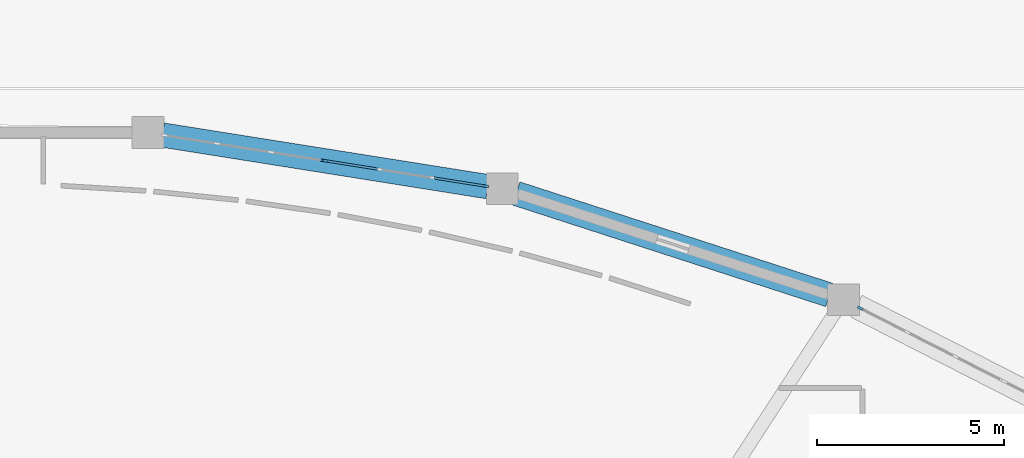
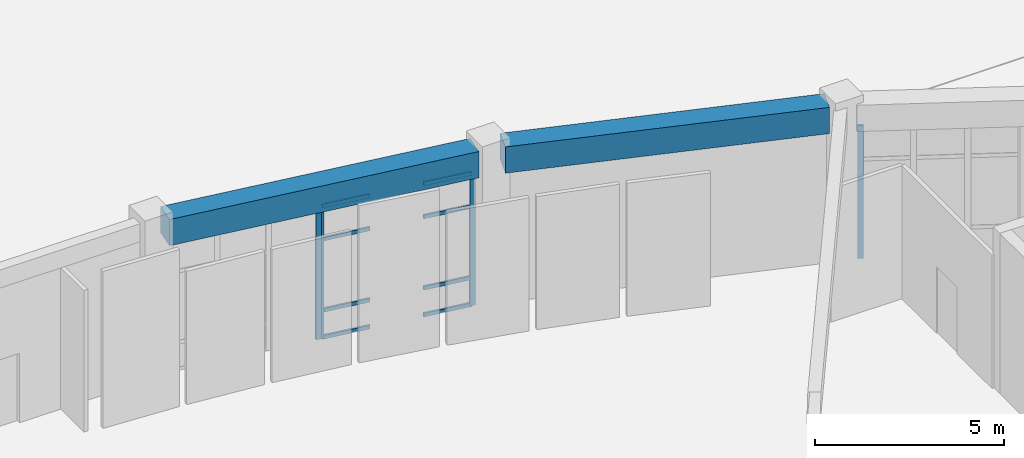
# One storey, part 21 of 70: 12 members, 2 beams, 3 elements without a shape of their own.
"""IFC4 building model written with IfcOpenShell, lengths in metres."""

from ifc_helpers import new_model, si_unit, direction, frame, origin, origin_2d, place, context, subcontext, project, spatial, rectangle, extrude, material, layer, layer_set, material_profile, profile_set, type_object, element, aggregate, save


model = new_model("IFC4")

# Units and contexts
model_context = context("Model", 3, precision=1e-05, world=origin(), true_north=direction((0.0, 1.0)))
body_context = subcontext(model_context, "Body", "Model", "MODEL_VIEW")
ifc_project = project(units=[si_unit("LENGTHUNIT", "METRE"), si_unit("AREAUNIT", "SQUARE_METRE"), si_unit("VOLUMEUNIT", "CUBIC_METRE"), si_unit("PLANEANGLEUNIT", "RADIAN"), si_unit("MASSUNIT", "GRAM", prefix="KILO")], contexts=[model_context])

# Site, building, storey
site_placement = place(None, origin())
site = spatial("IfcSite", under=ifc_project, at=site_placement, CompositionType="ELEMENT")
building_placement = place(site_placement, origin())
building = spatial("IfcBuilding", under=site, at=building_placement, Name="Miralva Faculty of Natural Sciences", CompositionType="ELEMENT")
storey_placement = place(building_placement, origin())
storey = spatial("IfcBuildingStorey", under=building, at=storey_placement, Name="L00", CompositionType="ELEMENT", Elevation=0.0)

# Beams
ifc_material_1 = material(Name="Concrete C40/50", Category="concrete")
ifc_material_profile_1 = material_profile(ifc_material_1, rectangle(XDim=0.64990234375, YDim=0.85009765625, at=origin_2d()), Name="RC 650x850")
ifc_profile_set_1 = profile_set([ifc_material_profile_1], Name="Concrete C40/50")
beam_type = type_object("IfcBeamType", Name="BM-SP03", PredefinedType="SPANDREL", material=ifc_profile_set_1)
beam_1_placement = place(storey_placement, frame((112.968017578125, 35.480712890625, 4.735107421875), z_axis=(-0.951268878856, 0.308362643846, 0.0), x_axis=(-0.308362643846, -0.951268878856, 0.0)))
element("IfcBeam", 1, at=beam_1_placement, inside=storey, type_object=beam_type, Name="Curved chord girder SHOUT L00-3", PredefinedType="SPANDREL", context=body_context, shape_type="SweptSolid", body=[
    extrude(rectangle(XDim=0.64990234375, YDim=0.85009765625, at=origin_2d()), origin(), (0.0, 0.0, 1.0), 8.7841796875),
])
beam_2_placement = place(storey_placement, frame((103.853759765625, 38.371337890625, 4.735107421875), z_axis=(-0.987634435807, 0.156774427787, 0.0), x_axis=(-0.156774427787, -0.987634435807, 0.0)))
element("IfcBeam", 2, at=beam_2_placement, inside=storey, type_object=beam_type, Name="Curved chord girder SHOUT L00-4", PredefinedType="SPANDREL", context=body_context, shape_type="SweptSolid", body=[
    extrude(rectangle(XDim=0.64990234375, YDim=0.85009765625, at=origin_2d()), origin(), (0.0, 0.0, 1.0), 8.7861328125),
])

# Curtain wall, member
ifc_material_2 = material(Name="Laminated solar-control glass", Category="glass")
ifc_layer = layer(ifc_material_2, 0.179931640625, Name="CW-ARC-L00")
ifc_layer_set = layer_set([ifc_layer], Name="Laminated solar-control glass")
curtain_wall_type = type_object("IfcCurtainWallType", Name="CW-ARC-L00", PredefinedType="USERDEFINED", material=ifc_layer_set)
curtain_wall_1_placement = place(storey_placement, origin())
curtain_wall_1 = element("IfcCurtainWall", 3, at=curtain_wall_1_placement, inside=storey, type_object=curtain_wall_type, Name="Curtain wall CW-01 L00-7", ObjectType="UNITISED CURTAIN WALL", PredefinedType="USERDEFINED")
ifc_material_3 = material(Name="Anodised aluminium", Category="aluminium")
ifc_material_profile_2 = material_profile(ifc_material_3, rectangle(XDim=0.06494140625, YDim=0.159912109375, at=origin_2d()), Name="MULLION 65x160")
ifc_profile_set_2 = profile_set([ifc_material_profile_2], Name="Anodised aluminium")
member_type_1 = type_object("IfcMemberType", Name="CW-M02", PredefinedType="MULLION", material=ifc_profile_set_2)
member_1_placement = place(storey_placement, frame((99.48095703125, 39.068359375, 0.0), z_axis=(0.0, 0.0, 1.0), x_axis=(0.156417211778, 0.987691073089, 0.0)))
member_1 = element("IfcMember", 4, at=member_1_placement, type_object=member_type_1, Name="CW-01 mullion 4", PredefinedType="MULLION", context=body_context, shape_type="SweptSolid", body=[
    extrude(rectangle(XDim=0.06494140625, YDim=0.159912109375, at=origin_2d()), origin(), (0.0, 0.0, 1.0), 4.304931640625),
])
aggregate(curtain_wall_1, [member_1])

# Curtain wall, members
curtain_wall_2_placement = place(storey_placement, origin())
curtain_wall_2 = element("IfcCurtainWall", 5, at=curtain_wall_2_placement, inside=storey, type_object=curtain_wall_type, Name="Curtain wall CW-01 L00-8", ObjectType="UNITISED CURTAIN WALL", PredefinedType="USERDEFINED")
member_2_placement = place(storey_placement, frame((99.540283203125, 39.05908203125, 0.0), z_axis=(0.0, 0.0, 1.0), x_axis=(0.156444855796, 0.987686694805, 0.0)))
member_2 = element("IfcMember", 6, at=member_2_placement, type_object=member_type_1, Name="CW-01 mullion 1", PredefinedType="MULLION", context=body_context, shape_type="SweptSolid", body=[
    extrude(rectangle(XDim=0.06494140625, YDim=0.159912109375, at=origin_2d()), origin(), (0.0, 0.0, 1.0), 4.304931640625),
])
member_3_placement = place(storey_placement, frame((103.798095703125, 38.384521484375, 0.0), z_axis=(0.0, 0.0, 1.0), x_axis=(0.156444855796, 0.987686694805, 0.0)))
member_3 = element("IfcMember", 7, at=member_3_placement, type_object=member_type_1, Name="CW-01 mullion 4", PredefinedType="MULLION", context=body_context, shape_type="SweptSolid", body=[
    extrude(rectangle(XDim=0.06494140625, YDim=0.159912109375, at=origin_2d()), origin(), (0.0, 0.0, 1.0), 4.304931640625),
])

# Curtain wall, member
curtain_wall_3_placement = place(storey_placement, origin())
curtain_wall_3 = element("IfcCurtainWall", 8, at=curtain_wall_3_placement, inside=storey, type_object=curtain_wall_type, Name="Curtain wall CW-01 L00-9", ObjectType="UNITISED CURTAIN WALL", PredefinedType="USERDEFINED")
member_4_placement = place(storey_placement, frame((113.786865234375, 35.130859375, 0.0), z_axis=(0.0, 0.0, 1.0), x_axis=(0.453967729556, 0.89101812581, 0.0)))
member_4 = element("IfcMember", 9, at=member_4_placement, type_object=member_type_1, Name="CW-01 mullion 1", PredefinedType="MULLION", context=body_context, shape_type="SweptSolid", body=[
    extrude(rectangle(XDim=0.06494140625, YDim=0.159912109375, at=origin_2d()), origin(), (0.0, 0.0, 1.0), 4.304931640625),
])
aggregate(curtain_wall_3, [member_4])

# Member
ifc_material_profile_3 = material_profile(ifc_material_3, rectangle(XDim=0.06005859375, YDim=0.1201171875, at=origin_2d()), Name="TRANSOM 60x120")
ifc_profile_set_3 = profile_set([ifc_material_profile_3], Name="Anodised aluminium")
member_type_2 = type_object("IfcMemberType", Name="CW-T02", PredefinedType="USERDEFINED", material=ifc_profile_set_3)
member_5_placement = place(storey_placement, frame((99.572509765625, 39.053955078125, 0.030029296875), z_axis=(0.987690134569, -0.156423137912, 0.0), x_axis=(0.156423137912, 0.987690134569, 0.0)))
member_5 = element("IfcMember", 10, at=member_5_placement, type_object=member_type_2, Name="CW-01 transom 1.1", ObjectType="TRANSOM", PredefinedType="USERDEFINED", context=body_context, shape_type="SweptSolid", body=[
    extrude(rectangle(XDim=0.06005859375, YDim=0.1201171875, at=origin_2d()), origin(), (0.0, 0.0, 1.0), 1.361083984375),
])

member_6_placement = place(storey_placement, frame((99.572509765625, 39.053955078125, 0.89990234375), z_axis=(0.987690134569, -0.156423137912, 0.0), x_axis=(0.156423137912, 0.987690134569, 0.0)))
member_6 = element("IfcMember", 11, at=member_6_placement, type_object=member_type_2, Name="CW-01 transom 1.2", ObjectType="TRANSOM", PredefinedType="USERDEFINED", context=body_context, shape_type="SweptSolid", body=[
    extrude(rectangle(XDim=0.06005859375, YDim=0.1201171875, at=origin_2d()), origin(), (0.0, 0.0, 1.0), 1.361083984375),
])

member_7_placement = place(storey_placement, frame((99.572509765625, 39.053955078125, 3.205078125), z_axis=(0.987690134569, -0.156423137912, 0.0), x_axis=(0.156423137912, 0.987690134569, 0.0)))
member_7 = element("IfcMember", 12, at=member_7_placement, type_object=member_type_2, Name="CW-01 transom 1.3", ObjectType="TRANSOM", PredefinedType="USERDEFINED", context=body_context, shape_type="SweptSolid", body=[
    extrude(rectangle(XDim=0.06005859375, YDim=0.1201171875, at=origin_2d()), origin(), (0.0, 0.0, 1.0), 1.361083984375),
])

member_8_placement = place(storey_placement, frame((99.572509765625, 39.053955078125, 4.27490234375), z_axis=(0.987690134569, -0.156423137912, 0.0), x_axis=(0.156423137912, 0.987690134569, 0.0)))
member_8 = element("IfcMember", 13, at=member_8_placement, type_object=member_type_2, Name="CW-01 transom 1.4", ObjectType="TRANSOM", PredefinedType="USERDEFINED", context=body_context, shape_type="SweptSolid", body=[
    extrude(rectangle(XDim=0.06005859375, YDim=0.1201171875, at=origin_2d()), origin(), (0.0, 0.0, 1.0), 1.361083984375),
])

member_9_placement = place(storey_placement, frame((102.421630859375, 38.6025390625, 0.030029296875), z_axis=(0.987694522615, -0.156395428313, 0.0), x_axis=(0.156395428313, 0.987694522615, 0.0)))
member_9 = element("IfcMember", 14, at=member_9_placement, type_object=member_type_2, Name="CW-01 transom 3.1", ObjectType="TRANSOM", PredefinedType="USERDEFINED", context=body_context, shape_type="SweptSolid", body=[
    extrude(rectangle(XDim=0.06005859375, YDim=0.1201171875, at=origin_2d()), origin(), (0.0, 0.0, 1.0), 1.361328125),
])

member_10_placement = place(storey_placement, frame((102.421630859375, 38.6025390625, 0.89990234375), z_axis=(0.987694522615, -0.156395428313, 0.0), x_axis=(0.156395428313, 0.987694522615, 0.0)))
member_10 = element("IfcMember", 15, at=member_10_placement, type_object=member_type_2, Name="CW-01 transom 3.2", ObjectType="TRANSOM", PredefinedType="USERDEFINED", context=body_context, shape_type="SweptSolid", body=[
    extrude(rectangle(XDim=0.06005859375, YDim=0.1201171875, at=origin_2d()), origin(), (0.0, 0.0, 1.0), 1.361328125),
])

member_11_placement = place(storey_placement, frame((102.421630859375, 38.6025390625, 3.205078125), z_axis=(0.987694522615, -0.156395428313, 0.0), x_axis=(0.156395428313, 0.987694522615, 0.0)))
member_11 = element("IfcMember", 16, at=member_11_placement, type_object=member_type_2, Name="CW-01 transom 3.3", ObjectType="TRANSOM", PredefinedType="USERDEFINED", context=body_context, shape_type="SweptSolid", body=[
    extrude(rectangle(XDim=0.06005859375, YDim=0.1201171875, at=origin_2d()), origin(), (0.0, 0.0, 1.0), 1.361328125),
])

member_12_placement = place(storey_placement, frame((102.421630859375, 38.6025390625, 4.27490234375), z_axis=(0.987694522615, -0.156395428313, 0.0), x_axis=(0.156395428313, 0.987694522615, 0.0)))
member_12 = element("IfcMember", 17, at=member_12_placement, type_object=member_type_2, Name="CW-01 transom 3.4", ObjectType="TRANSOM", PredefinedType="USERDEFINED", context=body_context, shape_type="SweptSolid", body=[
    extrude(rectangle(XDim=0.06005859375, YDim=0.1201171875, at=origin_2d()), origin(), (0.0, 0.0, 1.0), 1.361328125),
])

aggregate(curtain_wall_2, [member_2, member_3, member_5, member_6, member_7, member_8, member_9, member_10, member_11, member_12])

save(model, "model.ifc")
